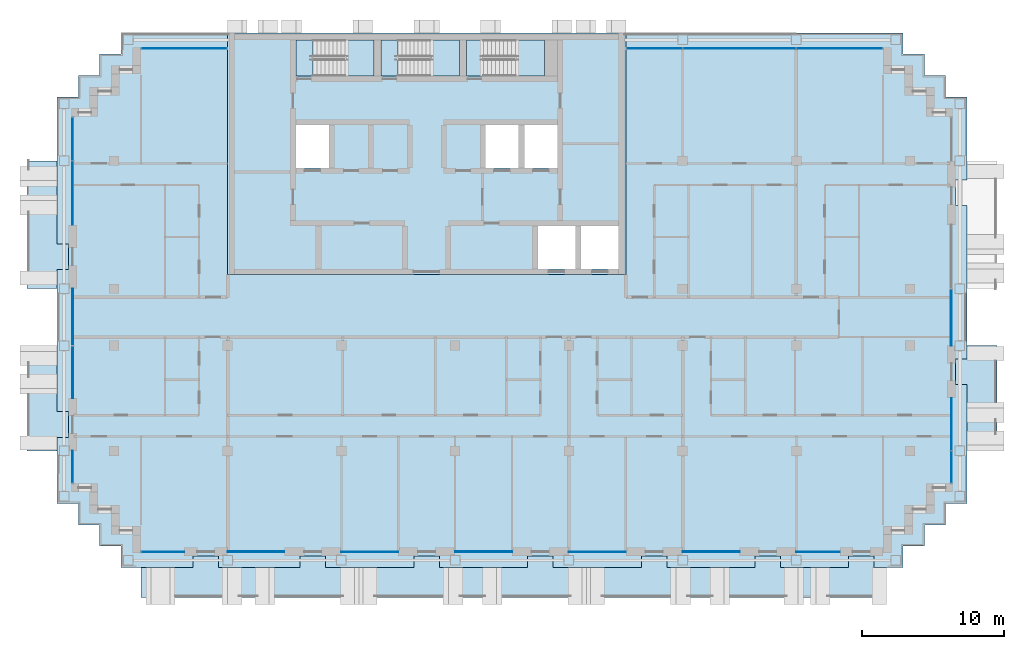
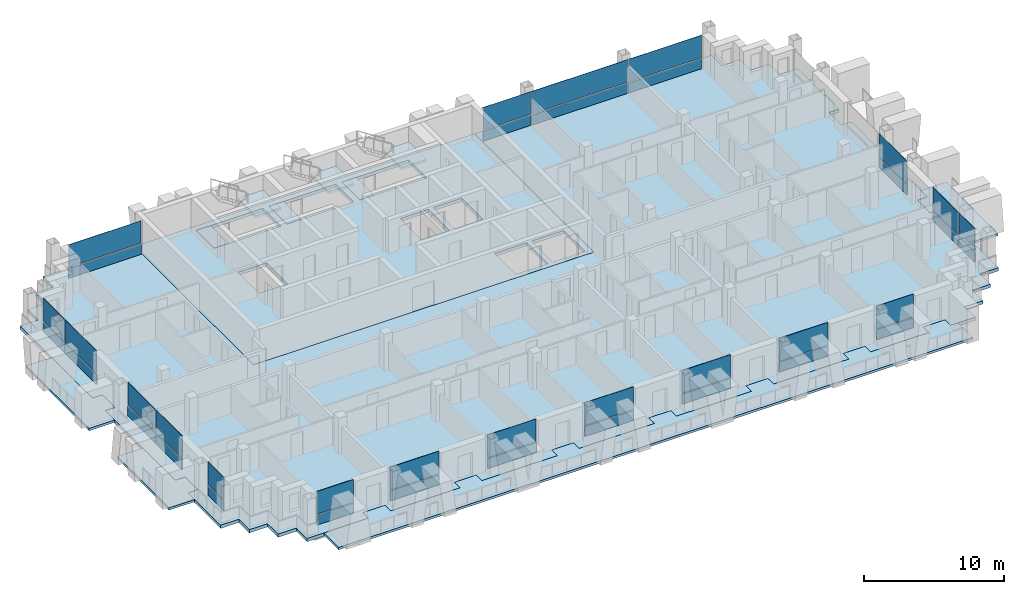
# One storey, part 6 of 16: 38 plates, 12 slabs, 17 elements without a shape of their own.
"""IFC4 building model written with IfcOpenShell, lengths in metres."""

from ifc_helpers import new_model, si_unit, direction, frame, origin, origin_2d, place, context, subcontext, project, spatial, polyline, rectangle, outline, extrude, material, layer, layer_set, type_object, element, aggregate, save


model = new_model("IFC4")

# Units and contexts
model_context = context("Model", 3, precision=1e-05, world=origin(), true_north=direction((0.0, 1.0)))
body_context = subcontext(model_context, "Body", "Model", "MODEL_VIEW")
ifc_project = project(units=[si_unit("LENGTHUNIT", "METRE"), si_unit("AREAUNIT", "SQUARE_METRE"), si_unit("VOLUMEUNIT", "CUBIC_METRE"), si_unit("PLANEANGLEUNIT", "RADIAN"), si_unit("MASSUNIT", "GRAM", prefix="KILO")], contexts=[model_context])

# Site, building, storey
site_placement = place(None, origin())
site = spatial("IfcSite", under=ifc_project, at=site_placement, CompositionType="ELEMENT")
building_placement = place(site_placement, origin())
building = spatial("IfcBuilding", under=site, at=building_placement, Name="Vidyagriha Tower", CompositionType="ELEMENT")
storey_placement = place(building_placement, frame((0.0, 0.0, 184.5)))
storey = spatial("IfcBuildingStorey", under=building, at=storey_placement, Name="L48", CompositionType="ELEMENT", Elevation=184.5)

# Curtain wall, plates
ifc_material_1 = material(Name="Aluminium and glass curtain wall", Category="aluminium")
curtain_wall_type = type_object("IfcCurtainWallType", Name="Dwelling skin unitised curtain wall", PredefinedType="USERDEFINED", material=ifc_material_1)
curtain_wall_1_placement = place(storey_placement, origin())
curtain_wall_1 = element("IfcCurtainWall", 1, at=curtain_wall_1_placement, inside=storey, type_object=curtain_wall_type, Name="CW1 dwelling skin", ObjectType="UNITISED", PredefinedType="USERDEFINED")
ifc_material_2 = material(Name="Glass dark ceramic-fritted spandrel", Category="glass")
ifc_layer_1 = layer(ifc_material_2, 0.0400390625)
ifc_layer_set_1 = layer_set([ifc_layer_1], Name="Glass dark ceramic-fritted spandrel")
plate_type_1 = type_object("IfcPlateType", Name="Ceramic-fritted spandrel panel", PredefinedType="CURTAIN_PANEL", material=ifc_layer_set_1)
plate_1_placement = place(storey_placement, frame((29.032470703125, 18.89990234375, 0.0), z_axis=(0.0, 0.0, 1.0), x_axis=(-1.0, 0.0, 0.0)))
plate_1 = element("IfcPlate", 2, at=plate_1_placement, type_object=plate_type_1, Name="CW1 panel 1.1", PredefinedType="CURTAIN_PANEL", context=body_context, shape_type="SweptSolid", body=[
    extrude(rectangle(XDim=5.9951171875, YDim=0.0400390625, at=origin_2d()), origin(), (0.0, 0.0, 1.0), 0.85009765625),
])
plate_2_placement = place(storey_placement, frame((16.017578125, 18.89990234375, 0.0), z_axis=(0.0, 0.0, 1.0), x_axis=(-1.0, 0.0, 0.0)))
plate_2 = element("IfcPlate", 3, at=plate_2_placement, type_object=plate_type_1, Name="CW1 panel 3.1", PredefinedType="CURTAIN_PANEL", context=body_context, shape_type="SweptSolid", body=[
    extrude(rectangle(XDim=3.89501953125, YDim=0.0400390625, at=origin_2d()), origin(), (0.0, 0.0, 1.0), 0.85009765625),
])

# Curtain wall, plate
curtain_wall_2_placement = place(storey_placement, origin())
curtain_wall_2 = element("IfcCurtainWall", 4, at=curtain_wall_2_placement, inside=storey, type_object=curtain_wall_type, Name="CW1 dwelling skin", ObjectType="UNITISED", PredefinedType="USERDEFINED")
plate_3_placement = place(storey_placement, frame((-17.050048828125, 18.89990234375, 0.0), z_axis=(0.0, 0.0, 1.0), x_axis=(-1.0, 0.0, 0.0)))
plate_3 = element("IfcPlate", 5, at=plate_3_placement, type_object=plate_type_1, Name="CW1 panel 1.1", PredefinedType="CURTAIN_PANEL", context=body_context, shape_type="SweptSolid", body=[
    extrude(rectangle(XDim=5.9599609375, YDim=0.0400390625, at=origin_2d()), origin(), (0.0, 0.0, 1.0), 0.85009765625),
])

# Curtain wall, plates
curtain_wall_3_placement = place(storey_placement, origin())
curtain_wall_3 = element("IfcCurtainWall", 6, at=curtain_wall_3_placement, inside=storey, type_object=curtain_wall_type, Name="CW1 dwelling skin", ObjectType="UNITISED", PredefinedType="USERDEFINED")
plate_4_placement = place(storey_placement, frame((-24.89990234375, 12.532470703125, 0.0), z_axis=(0.0, 0.0, 1.0), x_axis=(0.0, -1.0, 0.0)))
plate_4 = element("IfcPlate", 7, at=plate_4_placement, type_object=plate_type_1, Name="CW1 panel 1.1", PredefinedType="CURTAIN_PANEL", context=body_context, shape_type="SweptSolid", body=[
    extrude(rectangle(XDim=2.9951171875, YDim=0.0400390625, at=origin_2d()), origin(), (0.0, 0.0, 1.0), 0.85009765625),
])
plate_5_placement = place(storey_placement, frame((-24.89990234375, 8.732421875, 0.0), z_axis=(0.0, 0.0, 1.0), x_axis=(0.0, -1.0, 0.0)))
plate_5 = element("IfcPlate", 8, at=plate_5_placement, type_object=plate_type_1, Name="CW1 panel 2.1", PredefinedType="CURTAIN_PANEL", context=body_context, shape_type="SweptSolid", body=[
    extrude(rectangle(XDim=4.465087890625, YDim=0.0400390625, at=origin_2d()), origin(), (0.0, 0.0, 1.0), 0.85009765625),
])

# Curtain wall, plate
curtain_wall_4_placement = place(storey_placement, origin())
curtain_wall_4 = element("IfcCurtainWall", 9, at=curtain_wall_4_placement, inside=storey, type_object=curtain_wall_type, Name="CW1 dwelling skin", ObjectType="UNITISED", PredefinedType="USERDEFINED")
plate_6_placement = place(storey_placement, frame((-24.89990234375, -10.514892578125, 0.0), z_axis=(0.0, 0.0, 1.0), x_axis=(0.0, -1.0, 0.0)))
plate_6 = element("IfcPlate", 10, at=plate_6_placement, type_object=plate_type_1, Name="CW1 panel 1.1", PredefinedType="CURTAIN_PANEL", context=body_context, shape_type="SweptSolid", body=[
    extrude(rectangle(XDim=2.22998046875, YDim=0.0400390625, at=origin_2d()), origin(), (0.0, 0.0, 1.0), 0.85009765625),
])

curtain_wall_5_placement = place(storey_placement, origin())
curtain_wall_5 = element("IfcCurtainWall", 11, at=curtain_wall_5_placement, inside=storey, type_object=curtain_wall_type, Name="CW1 dwelling skin", ObjectType="UNITISED", PredefinedType="USERDEFINED")
plate_7_placement = place(storey_placement, frame((-18.5400390625, -16.5, 0.0)))
plate_7 = element("IfcPlate", 12, at=plate_7_placement, type_object=plate_type_1, Name="CW1 panel 1.1", PredefinedType="CURTAIN_PANEL", context=body_context, shape_type="SweptSolid", body=[
    extrude(rectangle(XDim=2.97998046875, YDim=0.0400390625, at=origin_2d()), origin(), (0.0, 0.0, 1.0), 0.85009765625),
])

curtain_wall_6_placement = place(storey_placement, origin())
curtain_wall_6 = element("IfcCurtainWall", 13, at=curtain_wall_6_placement, inside=storey, type_object=curtain_wall_type, Name="CW1 dwelling skin", ObjectType="UNITISED", PredefinedType="USERDEFINED")
plate_8_placement = place(storey_placement, frame((-4.0, -16.5, 0.0)))
plate_8 = element("IfcPlate", 14, at=plate_8_placement, type_object=plate_type_1, Name="CW1 panel 1.1", PredefinedType="CURTAIN_PANEL", context=body_context, shape_type="SweptSolid", body=[
    extrude(rectangle(XDim=4.0, YDim=0.0400390625, at=origin_2d()), origin(), (0.0, 0.0, 1.0), 0.85009765625),
])

curtain_wall_7_placement = place(storey_placement, origin())
curtain_wall_7 = element("IfcCurtainWall", 15, at=curtain_wall_7_placement, inside=storey, type_object=curtain_wall_type, Name="CW1 dwelling skin", ObjectType="UNITISED", PredefinedType="USERDEFINED")
plate_9_placement = place(storey_placement, frame((12.0, -16.5, 0.0)))
plate_9 = element("IfcPlate", 16, at=plate_9_placement, type_object=plate_type_1, Name="CW1 panel 1.1", PredefinedType="CURTAIN_PANEL", context=body_context, shape_type="SweptSolid", body=[
    extrude(rectangle(XDim=4.0, YDim=0.0400390625, at=origin_2d()), origin(), (0.0, 0.0, 1.0), 0.85009765625),
])

curtain_wall_8_placement = place(storey_placement, origin())
curtain_wall_8 = element("IfcCurtainWall", 17, at=curtain_wall_8_placement, inside=storey, type_object=curtain_wall_type, Name="CW1 dwelling skin", ObjectType="UNITISED", PredefinedType="USERDEFINED")
plate_10_placement = place(storey_placement, frame((27.52490234375, -16.5, 0.0)))
plate_10 = element("IfcPlate", 18, at=plate_10_placement, type_object=plate_type_1, Name="CW1 panel 1.1", PredefinedType="CURTAIN_PANEL", context=body_context, shape_type="SweptSolid", body=[
    extrude(rectangle(XDim=3.050048828125, YDim=0.0400390625, at=origin_2d()), origin(), (0.0, 0.0, 1.0), 0.85009765625),
])

# Curtain wall, plates
curtain_wall_9_placement = place(storey_placement, origin())
curtain_wall_9 = element("IfcCurtainWall", 19, at=curtain_wall_9_placement, inside=storey, type_object=curtain_wall_type, Name="CW1 dwelling skin", ObjectType="UNITISED", PredefinedType="USERDEFINED")
plate_11_placement = place(storey_placement, frame((36.89990234375, -10.532470703125, 0.0), z_axis=(0.0, 0.0, 1.0), x_axis=(0.0, 1.0, 0.0)))
plate_11 = element("IfcPlate", 20, at=plate_11_placement, type_object=plate_type_1, Name="CW1 panel 1.1", PredefinedType="CURTAIN_PANEL", context=body_context, shape_type="SweptSolid", body=[
    extrude(rectangle(XDim=2.195068359375, YDim=0.0400390625, at=origin_2d()), origin(), (0.0, 0.0, 1.0), 0.85009765625),
])
plate_12_placement = place(storey_placement, frame((36.89990234375, -7.532470703125, 0.0), z_axis=(0.0, 0.0, 1.0), x_axis=(0.0, 1.0, 0.0)))
plate_12 = element("IfcPlate", 21, at=plate_12_placement, type_object=plate_type_1, Name="CW1 panel 2.1", PredefinedType="CURTAIN_PANEL", context=body_context, shape_type="SweptSolid", body=[
    extrude(rectangle(XDim=3.6650390625, YDim=0.0400390625, at=origin_2d()), origin(), (0.0, 0.0, 1.0), 0.85009765625),
])

# Slab
ifc_material_3 = material(Name="Concrete C60/75", Category="concrete")
ifc_layer_2 = layer(ifc_material_3, 0.280029296875)
ifc_layer_set_2 = layer_set([ifc_layer_2], Name="Concrete C60/75")
slab_type_1 = type_object("IfcSlabType", Name="Core floor slab 280 mm", PredefinedType="FLOOR", material=ifc_layer_set_2)
slab_1_placement = place(storey_placement, frame((0.0, 0.0, -0.280029296875)))
element("IfcSlab", 22, at=slab_1_placement, inside=storey, type_object=slab_type_1, Name="L48 core floor 1", PredefinedType="FLOOR", context=body_context, shape_type="SweptSolid", body=[
    extrude(outline(polyline([(-14.0, 3.0), (-14.0, 20.0), (14.0, 20.0), (14.0, 3.0), (-14.0, 3.0)]), holes=[polyline([(13.5, 6.39990234375), (10.855712890625, 6.39990234375), (10.855712890625, 3.39990234375), (13.5, 3.39990234375), (13.5, 6.39990234375)]), polyline([(10.45556640625, 6.39990234375), (7.81103515625, 6.39990234375), (7.81103515625, 3.39990234375), (10.45556640625, 3.39990234375), (10.45556640625, 6.39990234375)]), polyline([(9.199951171875, 13.5), (6.86669921875, 13.5), (6.86669921875, 10.5), (9.199951171875, 10.5), (9.199951171875, 13.5)]), polyline([(2.800048828125, 19.5), (2.800048828125, 16.949951171875), (4.0, 16.949951171875), (8.300048828125, 16.949951171875), (8.300048828125, 19.5), (4.0, 19.5), (2.800048828125, 19.5)]), polyline([(4.13330078125, 13.5), (4.13330078125, 10.5), (6.466796875, 10.5), (6.466796875, 13.5), (4.13330078125, 13.5)]), polyline([(-2.0, 19.5), (-3.199951171875, 19.5), (-3.199951171875, 16.949951171875), (-2.0, 16.949951171875), (2.300048828125, 16.949951171875), (2.300048828125, 19.5), (-2.0, 19.5)]), polyline([(-9.199951171875, 19.5), (-9.199951171875, 16.949951171875), (-8.0, 16.949951171875), (-3.699951171875, 16.949951171875), (-3.699951171875, 19.5), (-8.0, 19.5), (-9.199951171875, 19.5)]), polyline([(-9.199951171875, 13.5), (-9.199951171875, 10.5), (-6.86669921875, 10.5), (-6.86669921875, 13.5), (-9.199951171875, 13.5)])]), origin(), (0.0, 0.0, 1.0), 0.280029296875),
])

# Plate
ifc_material_4 = material(Name="Glass dark ceramic-fritted", Category="glass")
ifc_layer_3 = layer(ifc_material_4, 0.028076171875)
ifc_layer_set_3 = layer_set([ifc_layer_3], Name="Glass dark ceramic-fritted")
plate_type_2 = type_object("IfcPlateType", Name="Dark ceramic-fritted vision glass panel", PredefinedType="CURTAIN_PANEL", material=ifc_layer_set_3)
plate_13_placement = place(storey_placement, frame((29.032470703125, 18.89990234375, 0.9501953125), z_axis=(0.0, 0.0, 1.0), x_axis=(-1.0, 0.0, 0.0)))
plate_13 = element("IfcPlate", 23, at=plate_13_placement, type_object=plate_type_2, Name="CW1 panel 1.2", PredefinedType="CURTAIN_PANEL", context=body_context, shape_type="SweptSolid", body=[
    extrude(rectangle(XDim=5.9951171875, YDim=0.028076171875, at=origin_2d()), origin(), (0.0, 0.0, 1.0), 1.969970703125),
])

plate_14_placement = place(storey_placement, frame((22.0, 18.89990234375, 0.9501953125), z_axis=(0.0, 0.0, 1.0), x_axis=(-1.0, 0.0, 0.0)))
plate_14 = element("IfcPlate", 24, at=plate_14_placement, type_object=plate_type_2, Name="CW1 panel 2.2", PredefinedType="CURTAIN_PANEL", context=body_context, shape_type="SweptSolid", body=[
    extrude(rectangle(XDim=7.929931640625, YDim=0.028076171875, at=origin_2d()), origin(), (0.0, 0.0, 1.0), 1.969970703125),
])

plate_15_placement = place(storey_placement, frame((16.017578125, 18.89990234375, 0.9501953125), z_axis=(0.0, 0.0, 1.0), x_axis=(-1.0, 0.0, 0.0)))
plate_15 = element("IfcPlate", 25, at=plate_15_placement, type_object=plate_type_2, Name="CW1 panel 3.2", PredefinedType="CURTAIN_PANEL", context=body_context, shape_type="SweptSolid", body=[
    extrude(rectangle(XDim=3.89501953125, YDim=0.028076171875, at=origin_2d()), origin(), (0.0, 0.0, 1.0), 1.969970703125),
])

plate_16_placement = place(storey_placement, frame((-17.050048828125, 18.89990234375, 0.9501953125), z_axis=(0.0, 0.0, 1.0), x_axis=(-1.0, 0.0, 0.0)))
plate_16 = element("IfcPlate", 26, at=plate_16_placement, type_object=plate_type_2, Name="CW1 panel 1.2", PredefinedType="CURTAIN_PANEL", context=body_context, shape_type="SweptSolid", body=[
    extrude(rectangle(XDim=5.9599609375, YDim=0.028076171875, at=origin_2d()), origin(), (0.0, 0.0, 1.0), 1.969970703125),
])

aggregate(curtain_wall_2, [plate_3, plate_16])

plate_17_placement = place(storey_placement, frame((-24.89990234375, 12.532470703125, 0.9501953125), z_axis=(0.0, 0.0, 1.0), x_axis=(0.0, -1.0, 0.0)))
plate_17 = element("IfcPlate", 27, at=plate_17_placement, type_object=plate_type_2, Name="CW1 panel 1.2", PredefinedType="CURTAIN_PANEL", context=body_context, shape_type="SweptSolid", body=[
    extrude(rectangle(XDim=2.9951171875, YDim=0.028076171875, at=origin_2d()), origin(), (0.0, 0.0, 1.0), 1.969970703125),
])

plate_18_placement = place(storey_placement, frame((-24.89990234375, 8.732421875, 0.9501953125), z_axis=(0.0, 0.0, 1.0), x_axis=(0.0, -1.0, 0.0)))
plate_18 = element("IfcPlate", 28, at=plate_18_placement, type_object=plate_type_2, Name="CW1 panel 2.2", PredefinedType="CURTAIN_PANEL", context=body_context, shape_type="SweptSolid", body=[
    extrude(rectangle(XDim=4.465087890625, YDim=0.028076171875, at=origin_2d()), origin(), (0.0, 0.0, 1.0), 1.969970703125),
])

aggregate(curtain_wall_3, [plate_4, plate_17, plate_5, plate_18])

# Curtain wall, plates
curtain_wall_10_placement = place(storey_placement, origin())
curtain_wall_10 = element("IfcCurtainWall", 29, at=curtain_wall_10_placement, inside=storey, type_object=curtain_wall_type, Name="CW1 dwelling skin", ObjectType="UNITISED", PredefinedType="USERDEFINED")
plate_19_placement = place(storey_placement, frame((-24.89990234375, 0.017578125, 0.9501953125), z_axis=(0.0, 0.0, 1.0), x_axis=(0.0, -1.0, 0.0)))
plate_19 = element("IfcPlate", 30, at=plate_19_placement, type_object=plate_type_2, Name="CW1 panel 1.2", PredefinedType="CURTAIN_PANEL", context=body_context, shape_type="SweptSolid", body=[
    extrude(rectangle(XDim=3.965087890625, YDim=0.028076171875, at=origin_2d()), origin(), (0.0, 0.0, 1.0), 1.969970703125),
])
plate_20_placement = place(storey_placement, frame((-24.89990234375, -3.867431640625, 0.9501953125), z_axis=(0.0, 0.0, 1.0), x_axis=(0.0, -1.0, 0.0)))
plate_20 = element("IfcPlate", 31, at=plate_20_placement, type_object=plate_type_2, Name="CW1 panel 2.2", PredefinedType="CURTAIN_PANEL", context=body_context, shape_type="SweptSolid", body=[
    extrude(rectangle(XDim=3.6650390625, YDim=0.028076171875, at=origin_2d()), origin(), (0.0, 0.0, 1.0), 1.969970703125),
])

# Plate
plate_21_placement = place(storey_placement, frame((-24.89990234375, -10.514892578125, 0.9501953125), z_axis=(0.0, 0.0, 1.0), x_axis=(0.0, -1.0, 0.0)))
plate_21 = element("IfcPlate", 32, at=plate_21_placement, type_object=plate_type_2, Name="CW1 panel 1.2", PredefinedType="CURTAIN_PANEL", context=body_context, shape_type="SweptSolid", body=[
    extrude(rectangle(XDim=2.22998046875, YDim=0.028076171875, at=origin_2d()), origin(), (0.0, 0.0, 1.0), 1.969970703125),
])

aggregate(curtain_wall_4, [plate_6, plate_21])

plate_22_placement = place(storey_placement, frame((-18.5400390625, -16.5, 0.9501953125)))
plate_22 = element("IfcPlate", 33, at=plate_22_placement, type_object=plate_type_2, Name="CW1 panel 1.2", PredefinedType="CURTAIN_PANEL", context=body_context, shape_type="SweptSolid", body=[
    extrude(rectangle(XDim=2.97998046875, YDim=0.028076171875, at=origin_2d()), origin(), (0.0, 0.0, 1.0), 1.969970703125),
])

aggregate(curtain_wall_5, [plate_7, plate_22])

# Curtain wall, plate
curtain_wall_11_placement = place(storey_placement, origin())
curtain_wall_11 = element("IfcCurtainWall", 34, at=curtain_wall_11_placement, inside=storey, type_object=curtain_wall_type, Name="CW1 dwelling skin", ObjectType="UNITISED", PredefinedType="USERDEFINED")
plate_23_placement = place(storey_placement, frame((-12.0, -16.5, 0.9501953125)))
plate_23 = element("IfcPlate", 35, at=plate_23_placement, type_object=plate_type_2, Name="CW1 panel 1.2", PredefinedType="CURTAIN_PANEL", context=body_context, shape_type="SweptSolid", body=[
    extrude(rectangle(XDim=4.0, YDim=0.028076171875, at=origin_2d()), origin(), (0.0, 0.0, 1.0), 1.969970703125),
])

# Plate
plate_24_placement = place(storey_placement, frame((-4.0, -16.5, 0.9501953125)))
plate_24 = element("IfcPlate", 36, at=plate_24_placement, type_object=plate_type_2, Name="CW1 panel 1.2", PredefinedType="CURTAIN_PANEL", context=body_context, shape_type="SweptSolid", body=[
    extrude(rectangle(XDim=4.0, YDim=0.028076171875, at=origin_2d()), origin(), (0.0, 0.0, 1.0), 1.969970703125),
])

aggregate(curtain_wall_6, [plate_8, plate_24])

# Curtain wall, plate
curtain_wall_12_placement = place(storey_placement, origin())
curtain_wall_12 = element("IfcCurtainWall", 37, at=curtain_wall_12_placement, inside=storey, type_object=curtain_wall_type, Name="CW1 dwelling skin", ObjectType="UNITISED", PredefinedType="USERDEFINED")
plate_25_placement = place(storey_placement, frame((4.0, -16.5, 0.9501953125)))
plate_25 = element("IfcPlate", 38, at=plate_25_placement, type_object=plate_type_2, Name="CW1 panel 1.2", PredefinedType="CURTAIN_PANEL", context=body_context, shape_type="SweptSolid", body=[
    extrude(rectangle(XDim=4.0, YDim=0.028076171875, at=origin_2d()), origin(), (0.0, 0.0, 1.0), 1.969970703125),
])

# Plate
plate_26_placement = place(storey_placement, frame((12.0, -16.5, 0.9501953125)))
plate_26 = element("IfcPlate", 39, at=plate_26_placement, type_object=plate_type_2, Name="CW1 panel 1.2", PredefinedType="CURTAIN_PANEL", context=body_context, shape_type="SweptSolid", body=[
    extrude(rectangle(XDim=4.0, YDim=0.028076171875, at=origin_2d()), origin(), (0.0, 0.0, 1.0), 1.969970703125),
])

aggregate(curtain_wall_7, [plate_9, plate_26])

# Curtain wall, plate
curtain_wall_13_placement = place(storey_placement, origin())
curtain_wall_13 = element("IfcCurtainWall", 40, at=curtain_wall_13_placement, inside=storey, type_object=curtain_wall_type, Name="CW1 dwelling skin", ObjectType="UNITISED", PredefinedType="USERDEFINED")
plate_27_placement = place(storey_placement, frame((20.0, -16.5, 0.9501953125)))
plate_27 = element("IfcPlate", 41, at=plate_27_placement, type_object=plate_type_2, Name="CW1 panel 1.2", PredefinedType="CURTAIN_PANEL", context=body_context, shape_type="SweptSolid", body=[
    extrude(rectangle(XDim=4.0, YDim=0.028076171875, at=origin_2d()), origin(), (0.0, 0.0, 1.0), 1.969970703125),
])

# Plate
plate_28_placement = place(storey_placement, frame((27.52490234375, -16.5, 0.9501953125)))
plate_28 = element("IfcPlate", 42, at=plate_28_placement, type_object=plate_type_2, Name="CW1 panel 1.2", PredefinedType="CURTAIN_PANEL", context=body_context, shape_type="SweptSolid", body=[
    extrude(rectangle(XDim=3.050048828125, YDim=0.028076171875, at=origin_2d()), origin(), (0.0, 0.0, 1.0), 1.969970703125),
])

aggregate(curtain_wall_8, [plate_10, plate_28])

plate_29_placement = place(storey_placement, frame((36.89990234375, -10.532470703125, 0.9501953125), z_axis=(0.0, 0.0, 1.0), x_axis=(0.0, 1.0, 0.0)))
plate_29 = element("IfcPlate", 43, at=plate_29_placement, type_object=plate_type_2, Name="CW1 panel 1.2", PredefinedType="CURTAIN_PANEL", context=body_context, shape_type="SweptSolid", body=[
    extrude(rectangle(XDim=2.195068359375, YDim=0.028076171875, at=origin_2d()), origin(), (0.0, 0.0, 1.0), 1.969970703125),
])

plate_30_placement = place(storey_placement, frame((36.89990234375, -7.532470703125, 0.9501953125), z_axis=(0.0, 0.0, 1.0), x_axis=(0.0, 1.0, 0.0)))
plate_30 = element("IfcPlate", 44, at=plate_30_placement, type_object=plate_type_2, Name="CW1 panel 2.2", PredefinedType="CURTAIN_PANEL", context=body_context, shape_type="SweptSolid", body=[
    extrude(rectangle(XDim=3.6650390625, YDim=0.028076171875, at=origin_2d()), origin(), (0.0, 0.0, 1.0), 1.969970703125),
])

aggregate(curtain_wall_9, [plate_11, plate_29, plate_12, plate_30])

# Curtain wall, plate
curtain_wall_14_placement = place(storey_placement, origin())
curtain_wall_14 = element("IfcCurtainWall", 45, at=curtain_wall_14_placement, inside=storey, type_object=curtain_wall_type, Name="CW1 dwelling skin", ObjectType="UNITISED", PredefinedType="USERDEFINED")
plate_31_placement = place(storey_placement, frame((36.89990234375, -0.017578125, 0.9501953125), z_axis=(0.0, 0.0, 1.0), x_axis=(0.0, 1.0, 0.0)))
plate_31 = element("IfcPlate", 46, at=plate_31_placement, type_object=plate_type_2, Name="CW1 panel 1.2", PredefinedType="CURTAIN_PANEL", context=body_context, shape_type="SweptSolid", body=[
    extrude(rectangle(XDim=3.965087890625, YDim=0.028076171875, at=origin_2d()), origin(), (0.0, 0.0, 1.0), 1.969970703125),
])

# Slabs
ifc_material_5 = material(Name="Concrete C40/50", Category="concrete")
ifc_layer_4 = layer(ifc_material_5, 0.280029296875)
ifc_layer_set_4 = layer_set([ifc_layer_4], Name="Concrete C40/50")
slab_type_2 = type_object("IfcSlabType", Name="Exit stair floor landing 280 mm", PredefinedType="LANDING", material=ifc_layer_set_4)
slab_2_placement = place(storey_placement, frame((0.0, 0.0, -0.280029296875)))
element("IfcSlab", 47, at=slab_2_placement, inside=storey, type_object=slab_type_2, Name="ST1 floor landing L48", PredefinedType="LANDING", context=body_context, shape_type="SweptSolid", body=[
    extrude(outline(polyline([(-9.199951171875, 16.949951171875), (-8.0, 16.949951171875), (-8.0, 19.5), (-9.199951171875, 19.5), (-9.199951171875, 16.949951171875)])), origin(), (0.0, 0.0, 1.0), 0.280029296875),
])
slab_3_placement = place(storey_placement, frame((0.0, 0.0, -0.280029296875)))
element("IfcSlab", 48, at=slab_3_placement, inside=storey, type_object=slab_type_2, Name="ST2 floor landing L48", PredefinedType="LANDING", context=body_context, shape_type="SweptSolid", body=[
    extrude(outline(polyline([(-3.199951171875, 16.949951171875), (-2.0, 16.949951171875), (-2.0, 19.5), (-3.199951171875, 19.5), (-3.199951171875, 16.949951171875)])), origin(), (0.0, 0.0, 1.0), 0.280029296875),
])
slab_4_placement = place(storey_placement, frame((0.0, 0.0, -0.280029296875)))
element("IfcSlab", 49, at=slab_4_placement, inside=storey, type_object=slab_type_2, Name="ST3 floor landing L48", PredefinedType="LANDING", context=body_context, shape_type="SweptSolid", body=[
    extrude(outline(polyline([(2.800048828125, 16.949951171875), (4.0, 16.949951171875), (4.0, 19.5), (2.800048828125, 19.5), (2.800048828125, 16.949951171875)])), origin(), (0.0, 0.0, 1.0), 0.280029296875),
])

# Stair, slab
ifc_material_6 = material(Name="Concrete C40/50", Category="concrete")
stair_type = type_object("IfcStairType", Name="Exit stair, half-turn, precast flights", PredefinedType="HALF_TURN_STAIR", material=ifc_material_6)
stair_1_placement = place(storey_placement, origin())
stair_1 = element("IfcStair", 50, at=stair_1_placement, inside=storey, type_object=stair_type, Name="L48 Exit Stair ST1", PredefinedType="HALF_TURN_STAIR")
ifc_material_7 = material(Name="Concrete C40/50", Category="concrete")
ifc_layer_5 = layer(ifc_material_7, 0.199951171875)
ifc_layer_set_5 = layer_set([ifc_layer_5], Name="Concrete C40/50")
slab_type_3 = type_object("IfcSlabType", Name="Exit stair landing 200 mm", PredefinedType="LANDING", material=ifc_layer_set_5)
slab_5_placement = place(storey_placement, frame((0.0, 0.0, 1.39990234375)))
slab_5 = element("IfcSlab", 51, at=slab_5_placement, type_object=slab_type_3, Name="ST1 landing 1", PredefinedType="LANDING", context=body_context, shape_type="SweptSolid", body=[
    extrude(outline(polyline([(-5.760009765625, 16.949951171875), (-3.699951171875, 16.949951171875), (-3.699951171875, 19.5), (-5.760009765625, 19.5), (-5.760009765625, 16.949951171875)])), origin(), (0.0, 0.0, 1.0), 0.2001953125),
])
aggregate(stair_1, [slab_5])

stair_2_placement = place(storey_placement, origin())
stair_2 = element("IfcStair", 52, at=stair_2_placement, inside=storey, type_object=stair_type, Name="L48 Exit Stair ST2", PredefinedType="HALF_TURN_STAIR")
slab_6_placement = place(storey_placement, frame((0.0, 0.0, 1.39990234375)))
slab_6 = element("IfcSlab", 53, at=slab_6_placement, type_object=slab_type_3, Name="ST2 landing 1", PredefinedType="LANDING", context=body_context, shape_type="SweptSolid", body=[
    extrude(outline(polyline([(0.239990234375, 16.949951171875), (2.300048828125, 16.949951171875), (2.300048828125, 19.5), (0.239990234375, 19.5), (0.239990234375, 16.949951171875)])), origin(), (0.0, 0.0, 1.0), 0.2001953125),
])
aggregate(stair_2, [slab_6])

stair_3_placement = place(storey_placement, origin())
stair_3 = element("IfcStair", 54, at=stair_3_placement, inside=storey, type_object=stair_type, Name="L48 Exit Stair ST3", PredefinedType="HALF_TURN_STAIR")
slab_7_placement = place(storey_placement, frame((0.0, 0.0, 1.39990234375)))
slab_7 = element("IfcSlab", 55, at=slab_7_placement, type_object=slab_type_3, Name="ST3 landing 1", PredefinedType="LANDING", context=body_context, shape_type="SweptSolid", body=[
    extrude(outline(polyline([(6.239990234375, 16.949951171875), (8.300048828125, 16.949951171875), (8.300048828125, 19.5), (6.239990234375, 19.5), (6.239990234375, 16.949951171875)])), origin(), (0.0, 0.0, 1.0), 0.2001953125),
])
aggregate(stair_3, [slab_7])

# Plate
ifc_material_8 = material(Name="Aluminium black anodised", Category="aluminium")
ifc_layer_6 = layer(ifc_material_8, 0.06005859375)
ifc_layer_set_6 = layer_set([ifc_layer_6], Name="Aluminium black anodised")
plate_type_3 = type_object("IfcPlateType", Name="Operable black-metal vent panel", PredefinedType="CURTAIN_PANEL", material=ifc_layer_set_6)
plate_32_placement = place(storey_placement, frame((22.0, 18.89990234375, 0.0), z_axis=(0.0, 0.0, 1.0), x_axis=(-1.0, 0.0, 0.0)))
plate_32 = element("IfcPlate", 56, at=plate_32_placement, type_object=plate_type_3, Name="CW1 panel 2.1", PredefinedType="CURTAIN_PANEL", context=body_context, shape_type="SweptSolid", body=[
    extrude(rectangle(XDim=7.929931640625, YDim=0.06005859375, at=origin_2d()), origin(), (0.0, 0.0, 1.0), 0.85009765625),
])

aggregate(curtain_wall_1, [plate_1, plate_13, plate_32, plate_14, plate_2, plate_15])

plate_33_placement = place(storey_placement, frame((-24.89990234375, 0.017578125, 0.0), z_axis=(0.0, 0.0, 1.0), x_axis=(0.0, -1.0, 0.0)))
plate_33 = element("IfcPlate", 57, at=plate_33_placement, type_object=plate_type_3, Name="CW1 panel 1.1", PredefinedType="CURTAIN_PANEL", context=body_context, shape_type="SweptSolid", body=[
    extrude(rectangle(XDim=3.965087890625, YDim=0.06005859375, at=origin_2d()), origin(), (0.0, 0.0, 1.0), 0.85009765625),
])

plate_34_placement = place(storey_placement, frame((-24.89990234375, -3.867431640625, 0.0), z_axis=(0.0, 0.0, 1.0), x_axis=(0.0, -1.0, 0.0)))
plate_34 = element("IfcPlate", 58, at=plate_34_placement, type_object=plate_type_3, Name="CW1 panel 2.1", PredefinedType="CURTAIN_PANEL", context=body_context, shape_type="SweptSolid", body=[
    extrude(rectangle(XDim=3.6650390625, YDim=0.06005859375, at=origin_2d()), origin(), (0.0, 0.0, 1.0), 0.85009765625),
])

aggregate(curtain_wall_10, [plate_33, plate_19, plate_34, plate_20])

plate_35_placement = place(storey_placement, frame((-12.0, -16.5, 0.0)))
plate_35 = element("IfcPlate", 59, at=plate_35_placement, type_object=plate_type_3, Name="CW1 panel 1.1", PredefinedType="CURTAIN_PANEL", context=body_context, shape_type="SweptSolid", body=[
    extrude(rectangle(XDim=4.0, YDim=0.06005859375, at=origin_2d()), origin(), (0.0, 0.0, 1.0), 0.85009765625),
])

aggregate(curtain_wall_11, [plate_35, plate_23])

plate_36_placement = place(storey_placement, frame((4.0, -16.5, 0.0)))
plate_36 = element("IfcPlate", 60, at=plate_36_placement, type_object=plate_type_3, Name="CW1 panel 1.1", PredefinedType="CURTAIN_PANEL", context=body_context, shape_type="SweptSolid", body=[
    extrude(rectangle(XDim=4.0, YDim=0.06005859375, at=origin_2d()), origin(), (0.0, 0.0, 1.0), 0.85009765625),
])

aggregate(curtain_wall_12, [plate_36, plate_25])

plate_37_placement = place(storey_placement, frame((20.0, -16.5, 0.0)))
plate_37 = element("IfcPlate", 61, at=plate_37_placement, type_object=plate_type_3, Name="CW1 panel 1.1", PredefinedType="CURTAIN_PANEL", context=body_context, shape_type="SweptSolid", body=[
    extrude(rectangle(XDim=4.0, YDim=0.06005859375, at=origin_2d()), origin(), (0.0, 0.0, 1.0), 0.85009765625),
])

aggregate(curtain_wall_13, [plate_37, plate_27])

plate_38_placement = place(storey_placement, frame((36.89990234375, -0.017578125, 0.0), z_axis=(0.0, 0.0, 1.0), x_axis=(0.0, 1.0, 0.0)))
plate_38 = element("IfcPlate", 62, at=plate_38_placement, type_object=plate_type_3, Name="CW1 panel 1.1", PredefinedType="CURTAIN_PANEL", context=body_context, shape_type="SweptSolid", body=[
    extrude(rectangle(XDim=3.965087890625, YDim=0.06005859375, at=origin_2d()), origin(), (0.0, 0.0, 1.0), 0.85009765625),
])

aggregate(curtain_wall_14, [plate_38, plate_31])

# Slabs
ifc_material_9 = material(Name="Concrete C50/60", Category="concrete")
ifc_layer_7 = layer(ifc_material_9, 0.280029296875)
ifc_layer_set_7 = layer_set([ifc_layer_7], Name="Concrete C50/60")
slab_type_4 = type_object("IfcSlabType", Name="Post-tensioned flat plate 280", PredefinedType="FLOOR", material=ifc_layer_set_7)
slab_8_placement = place(storey_placement, frame((0.0, 0.0, -0.280029296875)))
element("IfcSlab", 63, at=slab_8_placement, inside=storey, type_object=slab_type_4, Name="st-slab-L48-1", PredefinedType="FLOOR", context=body_context, shape_type="SweptSolid", body=[
    extrude(outline(polyline([(36.5, -14.60009765625), (35.0, -14.60009765625), (35.0, -16.10009765625), (33.5, -16.10009765625), (33.5, -17.60009765625), (31.47509765625, -17.60009765625), (31.47509765625, -16.800048828125), (29.675048828125, -16.800048828125), (29.675048828125, -17.60009765625), (24.89990234375, -17.60009765625), (24.89990234375, -16.800048828125), (23.10009765625, -16.800048828125), (23.10009765625, -17.60009765625), (16.89990234375, -17.60009765625), (16.89990234375, -16.800048828125), (15.10009765625, -16.800048828125), (15.10009765625, -17.60009765625), (8.89990234375, -17.60009765625), (8.89990234375, -16.800048828125), (7.10009765625, -16.800048828125), (7.10009765625, -17.60009765625), (0.89990234375, -17.60009765625), (0.89990234375, -16.800048828125), (-0.89990234375, -16.800048828125), (-0.89990234375, -17.60009765625), (-7.10009765625, -17.60009765625), (-7.10009765625, -16.800048828125), (-8.89990234375, -16.800048828125), (-8.89990234375, -17.60009765625), (-14.625, -17.60009765625), (-14.625, -16.800048828125), (-16.425048828125, -16.800048828125), (-16.425048828125, -17.60009765625), (-21.5, -17.60009765625), (-21.5, -16.10009765625), (-23.0, -16.10009765625), (-23.0, -14.60009765625), (-24.5, -14.60009765625), (-24.5, -13.10009765625), (-26.0, -13.10009765625), (-26.0, -8.449951171875), (-25.199951171875, -8.449951171875), (-25.199951171875, -6.64990234375), (-26.0, -6.64990234375), (-26.0, 3.35009765625), (-25.199951171875, 3.35009765625), (-25.199951171875, 5.14990234375), (-26.0, 5.14990234375), (-26.0, 15.5), (-24.5, 15.5), (-24.5, 17.0), (-23.0, 17.0), (-23.0, 18.5), (-21.5, 18.5), (-21.5, 20.0), (-14.0, 20.0), (-14.0, 3.0), (14.0, 3.0), (14.0, 20.0), (33.5, 20.0), (33.5, 18.5), (35.0, 18.5), (35.0, 17.0), (36.5, 17.0), (36.5, 15.5), (38.0, 15.5), (38.0, 9.64990234375), (37.199951171875, 9.64990234375), (37.199951171875, 7.85009765625), (38.0, 7.85009765625), (38.0, -2.949951171875), (37.199951171875, -2.949951171875), (37.199951171875, -4.75), (38.0, -4.75), (38.0, -13.10009765625), (36.5, -13.10009765625), (36.5, -14.60009765625)])), origin(), (0.0, 0.0, 1.0), 0.280029296875),
])
ifc_material_10 = material(Name="Precast concrete C40/50", Category="concrete")
ifc_layer_8 = layer(ifc_material_10, 0.199951171875)
ifc_layer_set_8 = layer_set([ifc_layer_8], Name="Precast concrete C40/50")
slab_type_5 = type_object("IfcSlabType", Name="Precast balcony slab 200", PredefinedType="USERDEFINED", material=ifc_layer_set_8)
slab_9_placement = place(storey_placement, frame((0.0, 0.0, -0.199951171875)))
element("IfcSlab", 64, at=slab_9_placement, inside=storey, type_object=slab_type_5, Name="Balcony slab L48 R16.1-1", ObjectType="BALCONY", PredefinedType="USERDEFINED", context=body_context, shape_type="SweptSolid", body=[
    extrude(outline(polyline([(-25.199951171875, 3.35009765625), (-25.199951171875, 5.14990234375), (-26.0, 5.14990234375), (-26.0, 11.0), (-28.10009765625, 11.0), (-28.10009765625, 2.0), (-26.0, 2.0), (-26.0, 3.35009765625), (-25.199951171875, 3.35009765625)])), origin(), (0.0, 0.0, 1.0), 0.199951171875),
])
slab_10_placement = place(storey_placement, frame((0.0, 0.0, -0.199951171875)))
element("IfcSlab", 65, at=slab_10_placement, inside=storey, type_object=slab_type_5, Name="Balcony slab L48 R16.2-2", ObjectType="BALCONY", PredefinedType="USERDEFINED", context=body_context, shape_type="SweptSolid", body=[
    extrude(outline(polyline([(-25.199951171875, -8.449951171875), (-25.199951171875, -6.64990234375), (-26.0, -6.64990234375), (-26.0, -2.0), (-28.10009765625, -2.0), (-28.10009765625, -9.39990234375), (-26.0, -9.39990234375), (-26.0, -8.449951171875), (-25.199951171875, -8.449951171875)])), origin(), (0.0, 0.0, 1.0), 0.199951171875),
])
slab_11_placement = place(storey_placement, frame((0.0, 0.0, -0.199951171875)))
element("IfcSlab", 66, at=slab_11_placement, inside=storey, type_object=slab_type_5, Name="Balcony slab L48 R23.1-7", ObjectType="BALCONY", PredefinedType="USERDEFINED", context=body_context, shape_type="SweptSolid", body=[
    extrude(outline(polyline([(-14.625, -16.800048828125), (-16.425048828125, -16.800048828125), (-16.425048828125, -17.60009765625), (-20.10009765625, -17.60009765625), (-20.10009765625, -19.699951171875), (32.10009765625, -19.699951171875), (32.10009765625, -17.60009765625), (31.47509765625, -17.60009765625), (31.47509765625, -16.800048828125), (29.675048828125, -16.800048828125), (29.675048828125, -17.60009765625), (24.89990234375, -17.60009765625), (24.89990234375, -16.800048828125), (23.10009765625, -16.800048828125), (23.10009765625, -17.60009765625), (16.89990234375, -17.60009765625), (16.89990234375, -16.800048828125), (15.10009765625, -16.800048828125), (15.10009765625, -17.60009765625), (8.89990234375, -17.60009765625), (8.89990234375, -16.800048828125), (7.10009765625, -16.800048828125), (7.10009765625, -17.60009765625), (0.89990234375, -17.60009765625), (0.89990234375, -16.800048828125), (-0.89990234375, -16.800048828125), (-0.89990234375, -17.60009765625), (-7.10009765625, -17.60009765625), (-7.10009765625, -16.800048828125), (-8.89990234375, -16.800048828125), (-8.89990234375, -17.60009765625), (-14.625, -17.60009765625), (-14.625, -16.800048828125)])), origin(), (0.0, 0.0, 1.0), 0.199951171875),
])
slab_12_placement = place(storey_placement, frame((0.0, 0.0, -0.199951171875)))
element("IfcSlab", 67, at=slab_12_placement, inside=storey, type_object=slab_type_5, Name="Balcony slab L48 R30.1-1", ObjectType="BALCONY", PredefinedType="USERDEFINED", context=body_context, shape_type="SweptSolid", body=[
    extrude(outline(polyline([(38.0, -4.75), (38.0, -9.39990234375), (40.10009765625, -9.39990234375), (40.10009765625, -2.0), (38.0, -2.0), (38.0, -2.949951171875), (37.199951171875, -2.949951171875), (37.199951171875, -4.75), (38.0, -4.75)])), origin(), (0.0, 0.0, 1.0), 0.199951171875),
])

save(model, "model.ifc")
